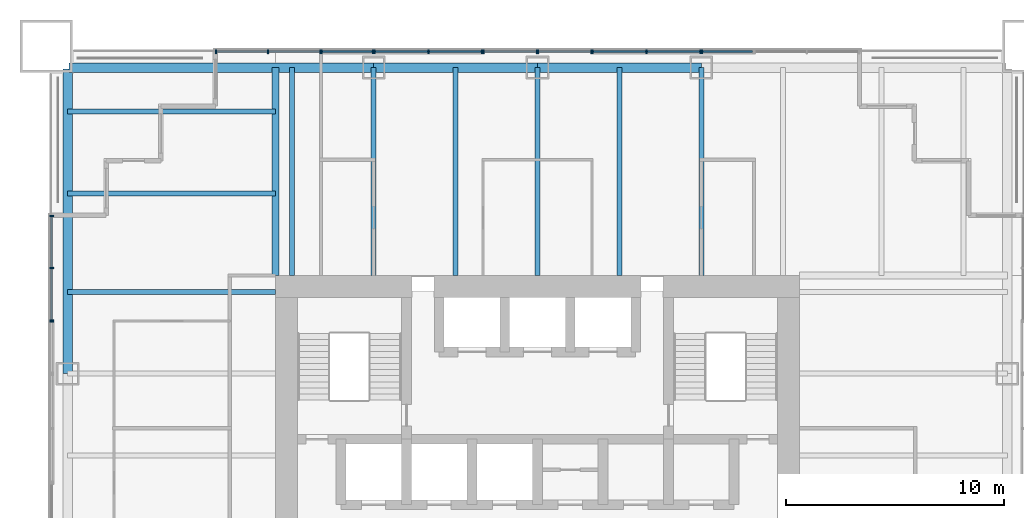
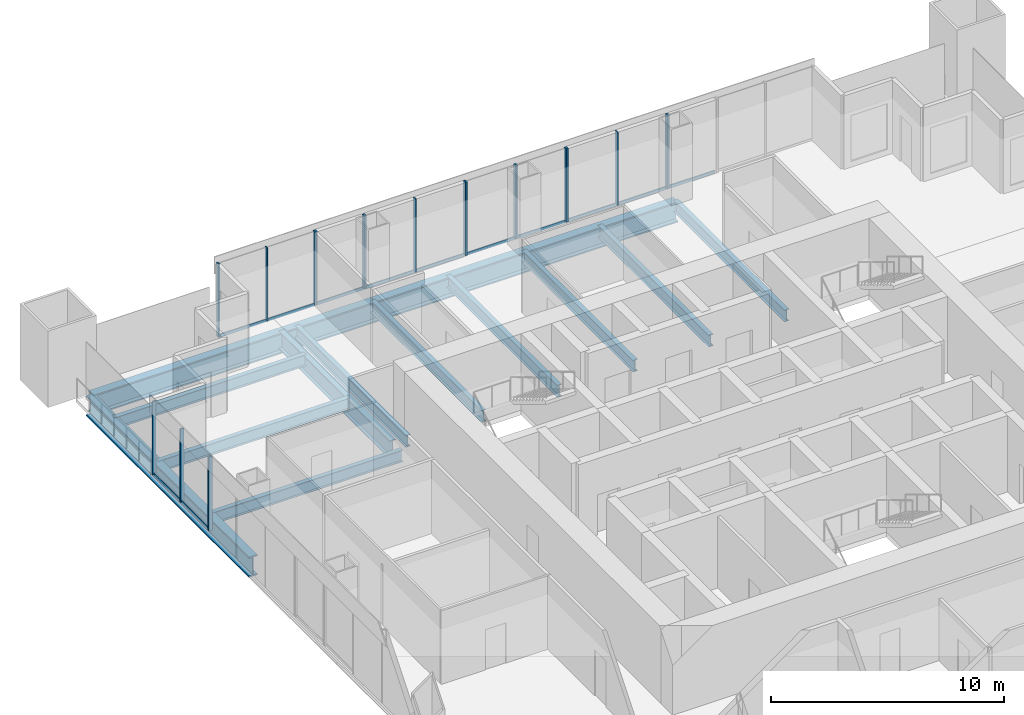
# One storey, part 5 of 13: 32 members, 14 beams, 9 elements without a shape of their own.
"""IFC4 building model written with IfcOpenShell, lengths in metres."""

from ifc_helpers import new_model, si_unit, direction, frame, origin, origin_2d, place, context, subcontext, project, spatial, rectangle, i_section, extrude, material, material_profile, profile_set, type_object, element, aggregate, save


model = new_model("IFC4")

# Units and contexts
model_context = context("Model", 3, precision=1e-05, world=origin(), true_north=direction((0.0, 1.0)))
body_context = subcontext(model_context, "Body", "Model", "MODEL_VIEW")
ifc_project = project(units=[si_unit("LENGTHUNIT", "METRE"), si_unit("AREAUNIT", "SQUARE_METRE"), si_unit("VOLUMEUNIT", "CUBIC_METRE"), si_unit("PLANEANGLEUNIT", "RADIAN"), si_unit("MASSUNIT", "GRAM", prefix="KILO")], contexts=[model_context])

# Site, building, storey
site_placement = place(None, origin())
site = spatial("IfcSite", under=ifc_project, at=site_placement, CompositionType="ELEMENT")
building_placement = place(site_placement, origin())
building = spatial("IfcBuilding", under=site, at=building_placement, Name="Tarangal Relay Tower", CompositionType="ELEMENT")
storey_placement = place(building_placement, frame((0.0, 0.0, 237.89990234375)))
storey = spatial("IfcBuildingStorey", under=building, at=storey_placement, Name="L51", CompositionType="ELEMENT", Elevation=237.89990234375)

# Beams
ifc_material_1 = material(Name="Steel ASTM A992", Category="steel")
ifc_material_profile_1 = material_profile(ifc_material_1, i_section(OverallWidth=0.227783203125, OverallDepth=0.60205078125, WebThickness=0.010498046875, FlangeThickness=0.014892578125, at=origin_2d()), Name="W24X68")
ifc_profile_set_1 = profile_set([ifc_material_profile_1], Name="Steel ASTM A992")
beam_type_1 = type_object("IfcBeamType", Name="Corner beam W24X68", PredefinedType="JOIST", material=ifc_profile_set_1)
for number, where, z_axis, x_axis, name in (
    (1, (-12.0, 15.75, -0.450927734375), (-1.0, 0.0, 0.0), (0.0, -1.0, 0.0), "Corner beam CB11 W L51"),
    (2, (-12.0, 19.5, -0.450927734375), (-1.0, 0.0, 0.0), (0.0, -1.0, 0.0), "Corner beam CB11 W L51"),
):
    element("IfcBeam", number, at=place(storey_placement, frame(where, z_axis=z_axis, x_axis=x_axis)), inside=storey, type_object=beam_type_1, Name=name, PredefinedType="JOIST", context=body_context, shape_type="SweptSolid", body=[
        extrude(i_section(OverallWidth=0.227783203125, OverallDepth=0.60205078125, WebThickness=0.010498046875, FlangeThickness=0.014892578125, at=origin_2d()), origin(), (0.0, 0.0, 1.0), 9.514892578125),
    ])
ifc_material_profile_2 = material_profile(ifc_material_1, i_section(OverallWidth=0.307373046875, OverallDepth=0.9423828125, WebThickness=0.022216796875, FlangeThickness=0.039794921875, at=origin_2d()), Name="W36X232")
ifc_profile_set_2 = profile_set([ifc_material_profile_2], Name="Steel ASTM A992")
beam_type_2 = type_object("IfcBeamType", Name="Corner girder W36X232", PredefinedType="BEAM", material=ifc_profile_set_2)
beam_1_placement = place(storey_placement, frame((-12.0, 12.0, -0.62109375), z_axis=(0.0, 1.0, 0.0), x_axis=(-1.0, 0.0, 0.0)))
element("IfcBeam", 3, at=beam_1_placement, inside=storey, type_object=beam_type_2, Name="Corner girder CG4 W L51", PredefinedType="BEAM", context=body_context, shape_type="SweptSolid", body=[
    extrude(i_section(OverallWidth=0.307373046875, OverallDepth=0.9423828125, WebThickness=0.022216796875, FlangeThickness=0.039794921875, at=origin_2d()), origin(), (0.0, 0.0, 1.0), 9.514892578125),
])
ifc_material_profile_3 = material_profile(ifc_material_1, i_section(OverallWidth=0.41650390625, OverallDepth=1.0693359375, WebThickness=0.0390625, FlangeThickness=0.070068359375, at=origin_2d()), Name="W40X503")
ifc_profile_set_3 = profile_set([ifc_material_profile_3], Name="Steel ASTM A992")
beam_type_3 = type_object("IfcBeamType", Name="Edge girder W40X503", PredefinedType="SPANDREL", material=ifc_profile_set_3)
beam_2_placement = place(storey_placement, frame((-21.449951171875, 21.514892578125, -0.6845703125), z_axis=(1.0, 0.0, 0.0), x_axis=(0.0, 1.0, 0.0)))
element("IfcBeam", 4, at=beam_2_placement, inside=storey, type_object=beam_type_3, Name="Edge girder EG8 N L51", PredefinedType="SPANDREL", context=body_context, shape_type="SweptSolid", body=[
    extrude(i_section(OverallWidth=0.41650390625, OverallDepth=1.0693359375, WebThickness=0.0390625, FlangeThickness=0.070068359375, at=origin_2d()), origin(), (0.0, 0.0, 1.0), 13.949951171875),
])
for number, where, z_axis, x_axis, name in (
    (5, (-7.5, 21.514892578125, -0.6845703125), (1.0, 0.0, 0.0), (0.0, 1.0, 0.0), "Edge girder EG8 N L51"),
    (6, (0.0, 21.514892578125, -0.6845703125), (1.0, 0.0, 0.0), (0.0, 1.0, 0.0), "Edge girder EG8 N L51"),
):
    element("IfcBeam", number, at=place(storey_placement, frame(where, z_axis=z_axis, x_axis=x_axis)), inside=storey, type_object=beam_type_3, Name=name, PredefinedType="SPANDREL", context=body_context, shape_type="SweptSolid", body=[
        extrude(i_section(OverallWidth=0.41650390625, OverallDepth=1.0693359375, WebThickness=0.0390625, FlangeThickness=0.070068359375, at=origin_2d()), origin(), (0.0, 0.0, 1.0), 7.5),
    ])
beam_3_placement = place(storey_placement, frame((-21.514892578125, 7.5, -0.6845703125), z_axis=(0.0, 1.0, 0.0), x_axis=(-1.0, 0.0, 0.0)))
element("IfcBeam", 7, at=beam_3_placement, inside=storey, type_object=beam_type_3, Name="Edge girder EG8 W L51", PredefinedType="SPANDREL", context=body_context, shape_type="SweptSolid", body=[
    extrude(i_section(OverallWidth=0.41650390625, OverallDepth=1.0693359375, WebThickness=0.0390625, FlangeThickness=0.070068359375, at=origin_2d()), origin(), (0.0, 0.0, 1.0), 13.949951171875),
])
ifc_material_profile_4 = material_profile(ifc_material_1, i_section(OverallWidth=0.22900390625, OverallDepth=0.612060546875, WebThickness=0.011962890625, FlangeThickness=0.01953125, at=origin_2d()), Name="W24X84")
ifc_profile_set_4 = profile_set([ifc_material_profile_4], Name="Steel ASTM A992")
beam_type_4 = type_object("IfcBeamType", Name="Floor beam W24X84", PredefinedType="BEAM", material=ifc_profile_set_4)
for number, where, z_axis, x_axis, name in (
    (8, (-11.25, 12.0, -0.455810546875), (0.0, 1.0, 0.0), (-1.0, 0.0, 0.0), "Floor beam RB12 N L51"),
    (9, (-7.5, 12.0, -0.455810546875), (0.0, 1.0, 0.0), (-1.0, 0.0, 0.0), "Floor beam RB12 N L51"),
    (10, (-3.75, 12.0, -0.455810546875), (0.0, 1.0, 0.0), (-1.0, 0.0, 0.0), "Floor beam RB12 N L51"),
    (11, (0.0, 12.0, -0.455810546875), (0.0, 1.0, 0.0), (-1.0, 0.0, 0.0), "Floor beam RB12 N L51"),
    (12, (3.75, 12.0, -0.455810546875), (0.0, 1.0, 0.0), (-1.0, 0.0, 0.0), "Floor beam RB12 N L51"),
    (13, (7.5, 12.0, -0.455810546875), (0.0, 1.0, 0.0), (-1.0, 0.0, 0.0), "Floor beam RB12 N L51"),
    (14, (-12.0, 11.25, -0.455810546875), (-1.0, 0.0, 0.0), (0.0, -1.0, 0.0), "Floor beam RB12 W L51"),
):
    element("IfcBeam", number, at=place(storey_placement, frame(where, z_axis=z_axis, x_axis=x_axis)), inside=storey, type_object=beam_type_4, Name=name, PredefinedType="BEAM", context=body_context, shape_type="SweptSolid", body=[
        extrude(i_section(OverallWidth=0.22900390625, OverallDepth=0.612060546875, WebThickness=0.011962890625, FlangeThickness=0.01953125, at=origin_2d()), origin(), (0.0, 0.0, 1.0), 9.514892578125),
    ])

# Curtain wall, members
ifc_material_2 = material(Name="Unitised curtain wall, dark glass and black aluminium", Category="aluminium")
curtain_wall_type_1 = type_object("IfcCurtainWallType", Name="Curtain wall CW-A", PredefinedType="USERDEFINED", material=ifc_material_2)
curtain_wall_1_placement = place(storey_placement, origin())
curtain_wall_1 = element("IfcCurtainWall", 15, at=curtain_wall_1_placement, inside=storey, type_object=curtain_wall_type_1, Name="Curtain wall CW-A N facade L51", ObjectType="UNITISED CURTAIN WALL", PredefinedType="USERDEFINED")
ifc_material_3 = material(Name="Black anodised aluminium mullion", Category="aluminium")
ifc_material_profile_5 = material_profile(ifc_material_3, rectangle(XDim=0.175048828125, YDim=0.06494140625, at=origin_2d()), Name="CW-AM 65X175")
ifc_profile_set_5 = profile_set([ifc_material_profile_5], Name="Black anodised aluminium mullion")
member_type_1 = type_object("IfcMemberType", Name="Mullion CW-A 65 x 175", PredefinedType="MULLION", material=ifc_profile_set_5)
member_1_placement = place(storey_placement, frame((-14.717529296875, 22.25, 0.0), z_axis=(0.0, 0.0, 1.0), x_axis=(0.0, 1.0, 0.0)))
member_1 = element("IfcMember", 16, at=member_1_placement, type_object=member_type_1, Name="CW-A mullion 1", PredefinedType="MULLION", context=body_context, shape_type="SweptSolid", body=[
    extrude(rectangle(XDim=0.175048828125, YDim=0.06494140625, at=origin_2d()), origin(), (0.0, 0.0, 1.0), 3.85009765625),
])
member_2_placement = place(storey_placement, frame((-12.333251953125, 22.25, 0.0), z_axis=(0.0, 0.0, 1.0), x_axis=(0.0, 1.0, 0.0)))
member_2 = element("IfcMember", 17, at=member_2_placement, type_object=member_type_1, Name="CW-A mullion 2", PredefinedType="MULLION", context=body_context, shape_type="SweptSolid", body=[
    extrude(rectangle(XDim=0.175048828125, YDim=0.06494140625, at=origin_2d()), origin(), (0.0, 0.0, 1.0), 3.85009765625),
])
member_3_placement = place(storey_placement, frame((-9.94921875, 22.25, 0.0), z_axis=(0.0, 0.0, 1.0), x_axis=(0.0, 1.0, 0.0)))
member_3 = element("IfcMember", 18, at=member_3_placement, type_object=member_type_1, Name="CW-A mullion 3", PredefinedType="MULLION", context=body_context, shape_type="SweptSolid", body=[
    extrude(rectangle(XDim=0.175048828125, YDim=0.06494140625, at=origin_2d()), origin(), (0.0, 0.0, 1.0), 3.85009765625),
])

curtain_wall_2_placement = place(storey_placement, origin())
curtain_wall_2 = element("IfcCurtainWall", 19, at=curtain_wall_2_placement, inside=storey, type_object=curtain_wall_type_1, Name="Curtain wall CW-A N facade L51", ObjectType="UNITISED CURTAIN WALL", PredefinedType="USERDEFINED")
member_4_placement = place(storey_placement, frame((-2.467529296875, 22.25, 0.0), z_axis=(0.0, 0.0, 1.0), x_axis=(0.0, 1.0, 0.0)))
member_4 = element("IfcMember", 20, at=member_4_placement, type_object=member_type_1, Name="CW-A mullion 1", PredefinedType="MULLION", context=body_context, shape_type="SweptSolid", body=[
    extrude(rectangle(XDim=0.175048828125, YDim=0.06494140625, at=origin_2d()), origin(), (0.0, 0.0, 1.0), 3.85009765625),
])
member_5_placement = place(storey_placement, frame((-0.032470703125, 22.25, 0.0), z_axis=(0.0, 0.0, 1.0), x_axis=(0.0, 1.0, 0.0)))
member_5 = element("IfcMember", 21, at=member_5_placement, type_object=member_type_1, Name="CW-A mullion 2", PredefinedType="MULLION", context=body_context, shape_type="SweptSolid", body=[
    extrude(rectangle(XDim=0.175048828125, YDim=0.06494140625, at=origin_2d()), origin(), (0.0, 0.0, 1.0), 3.85009765625),
])

curtain_wall_3_placement = place(storey_placement, origin())
curtain_wall_3 = element("IfcCurtainWall", 22, at=curtain_wall_3_placement, inside=storey, type_object=curtain_wall_type_1, Name="Curtain wall CW-A N facade L51", ObjectType="UNITISED CURTAIN WALL", PredefinedType="USERDEFINED")
member_6_placement = place(storey_placement, frame((0.032470703125, 22.25, 0.0), z_axis=(0.0, 0.0, 1.0), x_axis=(0.0, 1.0, 0.0)))
member_6 = element("IfcMember", 23, at=member_6_placement, type_object=member_type_1, Name="CW-A mullion 1", PredefinedType="MULLION", context=body_context, shape_type="SweptSolid", body=[
    extrude(rectangle(XDim=0.175048828125, YDim=0.06494140625, at=origin_2d()), origin(), (0.0, 0.0, 1.0), 3.85009765625),
])
member_7_placement = place(storey_placement, frame((2.467529296875, 22.25, 0.0), z_axis=(0.0, 0.0, 1.0), x_axis=(0.0, 1.0, 0.0)))
member_7 = element("IfcMember", 24, at=member_7_placement, type_object=member_type_1, Name="CW-A mullion 2", PredefinedType="MULLION", context=body_context, shape_type="SweptSolid", body=[
    extrude(rectangle(XDim=0.175048828125, YDim=0.06494140625, at=origin_2d()), origin(), (0.0, 0.0, 1.0), 3.85009765625),
])

curtain_wall_4_placement = place(storey_placement, origin())
curtain_wall_4 = element("IfcCurtainWall", 25, at=curtain_wall_4_placement, inside=storey, type_object=curtain_wall_type_1, Name="Curtain wall CW-A W facade L51", ObjectType="UNITISED CURTAIN WALL", PredefinedType="USERDEFINED")
member_8_placement = place(storey_placement, frame((-22.25, 9.94921875, 0.0), z_axis=(0.0, 0.0, 1.0), x_axis=(-1.0, 0.0, 0.0)))
member_8 = element("IfcMember", 26, at=member_8_placement, type_object=member_type_1, Name="CW-A mullion 1", PredefinedType="MULLION", context=body_context, shape_type="SweptSolid", body=[
    extrude(rectangle(XDim=0.175048828125, YDim=0.06494140625, at=origin_2d()), origin(), (0.0, 0.0, 1.0), 3.85009765625),
])
member_9_placement = place(storey_placement, frame((-22.25, 12.333251953125, 0.0), z_axis=(0.0, 0.0, 1.0), x_axis=(-1.0, 0.0, 0.0)))
member_9 = element("IfcMember", 27, at=member_9_placement, type_object=member_type_1, Name="CW-A mullion 2", PredefinedType="MULLION", context=body_context, shape_type="SweptSolid", body=[
    extrude(rectangle(XDim=0.175048828125, YDim=0.06494140625, at=origin_2d()), origin(), (0.0, 0.0, 1.0), 3.85009765625),
])
member_10_placement = place(storey_placement, frame((-22.25, 14.717529296875, 0.0), z_axis=(0.0, 0.0, 1.0), x_axis=(-1.0, 0.0, 0.0)))
member_10 = element("IfcMember", 28, at=member_10_placement, type_object=member_type_1, Name="CW-A mullion 3", PredefinedType="MULLION", context=body_context, shape_type="SweptSolid", body=[
    extrude(rectangle(XDim=0.175048828125, YDim=0.06494140625, at=origin_2d()), origin(), (0.0, 0.0, 1.0), 3.85009765625),
])

ifc_material_4 = material(Name="Unitised curtain wall frame, black aluminium, with metal clad infill walls", Category="aluminium")
curtain_wall_type_2 = type_object("IfcCurtainWallType", Name="Curtain wall CW-AO", PredefinedType="USERDEFINED", material=ifc_material_4)
curtain_wall_5_placement = place(storey_placement, origin())
curtain_wall_5 = element("IfcCurtainWall", 29, at=curtain_wall_5_placement, inside=storey, type_object=curtain_wall_type_2, Name="Curtain wall CW-AO N facade L51", ObjectType="UNITISED CURTAIN WALL", PredefinedType="USERDEFINED")
ifc_material_profile_6 = material_profile(ifc_material_3, rectangle(XDim=0.175048828125, YDim=0.06494140625, at=origin_2d()), Name="CW-AOM 65X175")
ifc_profile_set_6 = profile_set([ifc_material_profile_6], Name="Black anodised aluminium mullion")
member_type_2 = type_object("IfcMemberType", Name="Mullion CW-AO 65 x 175", PredefinedType="MULLION", material=ifc_profile_set_6)
member_11_placement = place(storey_placement, frame((-9.88427734375, 22.25, 0.0), z_axis=(0.0, 0.0, 1.0), x_axis=(0.0, 1.0, 0.0)))
member_11 = element("IfcMember", 30, at=member_11_placement, type_object=member_type_2, Name="CW-AO mullion 1", PredefinedType="MULLION", context=body_context, shape_type="SweptSolid", body=[
    extrude(rectangle(XDim=0.175048828125, YDim=0.06494140625, at=origin_2d()), origin(), (0.0, 0.0, 1.0), 3.85009765625),
])
member_12_placement = place(storey_placement, frame((-7.532470703125, 22.25, 0.0), z_axis=(0.0, 0.0, 1.0), x_axis=(0.0, 1.0, 0.0)))
member_12 = element("IfcMember", 31, at=member_12_placement, type_object=member_type_2, Name="CW-AO mullion 2", PredefinedType="MULLION", context=body_context, shape_type="SweptSolid", body=[
    extrude(rectangle(XDim=0.175048828125, YDim=0.06494140625, at=origin_2d()), origin(), (0.0, 0.0, 1.0), 3.85009765625),
])

curtain_wall_6_placement = place(storey_placement, origin())
curtain_wall_6 = element("IfcCurtainWall", 32, at=curtain_wall_6_placement, inside=storey, type_object=curtain_wall_type_2, Name="Curtain wall CW-AO N facade L51", ObjectType="UNITISED CURTAIN WALL", PredefinedType="USERDEFINED")
member_13_placement = place(storey_placement, frame((-7.467529296875, 22.25, 0.0), z_axis=(0.0, 0.0, 1.0), x_axis=(0.0, 1.0, 0.0)))
member_13 = element("IfcMember", 33, at=member_13_placement, type_object=member_type_2, Name="CW-AO mullion 1", PredefinedType="MULLION", context=body_context, shape_type="SweptSolid", body=[
    extrude(rectangle(XDim=0.175048828125, YDim=0.06494140625, at=origin_2d()), origin(), (0.0, 0.0, 1.0), 3.85009765625),
])
member_14_placement = place(storey_placement, frame((-5.0, 22.25, 0.0), z_axis=(0.0, 0.0, 1.0), x_axis=(0.0, 1.0, 0.0)))
member_14 = element("IfcMember", 34, at=member_14_placement, type_object=member_type_2, Name="CW-AO mullion 2", PredefinedType="MULLION", context=body_context, shape_type="SweptSolid", body=[
    extrude(rectangle(XDim=0.175048828125, YDim=0.06494140625, at=origin_2d()), origin(), (0.0, 0.0, 1.0), 3.85009765625),
])
member_15_placement = place(storey_placement, frame((-2.532470703125, 22.25, 0.0), z_axis=(0.0, 0.0, 1.0), x_axis=(0.0, 1.0, 0.0)))
member_15 = element("IfcMember", 35, at=member_15_placement, type_object=member_type_2, Name="CW-AO mullion 3", PredefinedType="MULLION", context=body_context, shape_type="SweptSolid", body=[
    extrude(rectangle(XDim=0.175048828125, YDim=0.06494140625, at=origin_2d()), origin(), (0.0, 0.0, 1.0), 3.85009765625),
])

curtain_wall_7_placement = place(storey_placement, origin())
curtain_wall_7 = element("IfcCurtainWall", 36, at=curtain_wall_7_placement, inside=storey, type_object=curtain_wall_type_2, Name="Curtain wall CW-AO N facade L51", ObjectType="UNITISED CURTAIN WALL", PredefinedType="USERDEFINED")
member_16_placement = place(storey_placement, frame((2.532470703125, 22.25, 0.0), z_axis=(0.0, 0.0, 1.0), x_axis=(0.0, 1.0, 0.0)))
member_16 = element("IfcMember", 37, at=member_16_placement, type_object=member_type_2, Name="CW-AO mullion 1", PredefinedType="MULLION", context=body_context, shape_type="SweptSolid", body=[
    extrude(rectangle(XDim=0.175048828125, YDim=0.06494140625, at=origin_2d()), origin(), (0.0, 0.0, 1.0), 3.85009765625),
])
member_17_placement = place(storey_placement, frame((5.0, 22.25, 0.0), z_axis=(0.0, 0.0, 1.0), x_axis=(0.0, 1.0, 0.0)))
member_17 = element("IfcMember", 38, at=member_17_placement, type_object=member_type_2, Name="CW-AO mullion 2", PredefinedType="MULLION", context=body_context, shape_type="SweptSolid", body=[
    extrude(rectangle(XDim=0.175048828125, YDim=0.06494140625, at=origin_2d()), origin(), (0.0, 0.0, 1.0), 3.85009765625),
])
member_18_placement = place(storey_placement, frame((7.467529296875, 22.25, 0.0), z_axis=(0.0, 0.0, 1.0), x_axis=(0.0, 1.0, 0.0)))
member_18 = element("IfcMember", 39, at=member_18_placement, type_object=member_type_2, Name="CW-AO mullion 3", PredefinedType="MULLION", context=body_context, shape_type="SweptSolid", body=[
    extrude(rectangle(XDim=0.175048828125, YDim=0.06494140625, at=origin_2d()), origin(), (0.0, 0.0, 1.0), 3.85009765625),
])

# Curtain wall, member
curtain_wall_8_placement = place(storey_placement, origin())
curtain_wall_8 = element("IfcCurtainWall", 40, at=curtain_wall_8_placement, inside=storey, type_object=curtain_wall_type_2, Name="Curtain wall CW-AO N facade L51", ObjectType="UNITISED CURTAIN WALL", PredefinedType="USERDEFINED")
member_19_placement = place(storey_placement, frame((7.532470703125, 22.25, 0.0), z_axis=(0.0, 0.0, 1.0), x_axis=(0.0, 1.0, 0.0)))
member_19 = element("IfcMember", 41, at=member_19_placement, type_object=member_type_2, Name="CW-AO mullion 1", PredefinedType="MULLION", context=body_context, shape_type="SweptSolid", body=[
    extrude(rectangle(XDim=0.175048828125, YDim=0.06494140625, at=origin_2d()), origin(), (0.0, 0.0, 1.0), 3.85009765625),
])

curtain_wall_9_placement = place(storey_placement, origin())
curtain_wall_9 = element("IfcCurtainWall", 42, at=curtain_wall_9_placement, inside=storey, type_object=curtain_wall_type_2, Name="Curtain wall CW-AO W facade L51", ObjectType="UNITISED CURTAIN WALL", PredefinedType="USERDEFINED")
member_20_placement = place(storey_placement, frame((-22.25, 9.88427734375, 0.0), z_axis=(0.0, 0.0, 1.0), x_axis=(-1.0, 0.0, 0.0)))
member_20 = element("IfcMember", 43, at=member_20_placement, type_object=member_type_2, Name="CW-AO mullion 2", PredefinedType="MULLION", context=body_context, shape_type="SweptSolid", body=[
    extrude(rectangle(XDim=0.175048828125, YDim=0.06494140625, at=origin_2d()), origin(), (0.0, 0.0, 1.0), 3.85009765625),
])
aggregate(curtain_wall_9, [member_20])

# Member
ifc_material_5 = material(Name="Black anodised aluminium transom", Category="aluminium")
ifc_material_profile_7 = material_profile(ifc_material_5, rectangle(XDim=0.06494140625, YDim=0.14990234375, at=origin_2d()), Name="CW-AT 65X150")
ifc_profile_set_7 = profile_set([ifc_material_profile_7], Name="Black anodised aluminium transom")
member_type_3 = type_object("IfcMemberType", Name="Transom CW-A 65 x 150", PredefinedType="USERDEFINED", material=ifc_profile_set_7)
member_21_placement = place(storey_placement, frame((-14.68505859375, 22.25, 0.03271484375), z_axis=(1.0, 0.0, 0.0), x_axis=(0.0, 1.0, 0.0)))
member_21 = element("IfcMember", 44, at=member_21_placement, type_object=member_type_3, Name="CW-A transom 1.1", ObjectType="TRANSOM", PredefinedType="USERDEFINED", context=body_context, shape_type="SweptSolid", body=[
    extrude(rectangle(XDim=0.06494140625, YDim=0.14990234375, at=origin_2d()), origin(), (0.0, 0.0, 1.0), 2.319091796875),
])

member_22_placement = place(storey_placement, frame((-12.30078125, 22.25, 0.03271484375), z_axis=(1.0, 0.0, 0.0), x_axis=(0.0, 1.0, 0.0)))
member_22 = element("IfcMember", 45, at=member_22_placement, type_object=member_type_3, Name="CW-A transom 2.1", ObjectType="TRANSOM", PredefinedType="USERDEFINED", context=body_context, shape_type="SweptSolid", body=[
    extrude(rectangle(XDim=0.06494140625, YDim=0.14990234375, at=origin_2d()), origin(), (0.0, 0.0, 1.0), 2.319091796875),
])

aggregate(curtain_wall_1, [member_1, member_2, member_3, member_21, member_22])

member_23_placement = place(storey_placement, frame((-2.43505859375, 22.25, 0.03271484375), z_axis=(1.0, 0.0, 0.0), x_axis=(0.0, 1.0, 0.0)))
member_23 = element("IfcMember", 46, at=member_23_placement, type_object=member_type_3, Name="CW-A transom 1.1", ObjectType="TRANSOM", PredefinedType="USERDEFINED", context=body_context, shape_type="SweptSolid", body=[
    extrude(rectangle(XDim=0.06494140625, YDim=0.14990234375, at=origin_2d()), origin(), (0.0, 0.0, 1.0), 2.3701171875),
])

aggregate(curtain_wall_2, [member_4, member_5, member_23])

member_24_placement = place(storey_placement, frame((0.06494140625, 22.25, 0.03271484375), z_axis=(1.0, 0.0, 0.0), x_axis=(0.0, 1.0, 0.0)))
member_24 = element("IfcMember", 47, at=member_24_placement, type_object=member_type_3, Name="CW-A transom 1.1", ObjectType="TRANSOM", PredefinedType="USERDEFINED", context=body_context, shape_type="SweptSolid", body=[
    extrude(rectangle(XDim=0.06494140625, YDim=0.14990234375, at=origin_2d()), origin(), (0.0, 0.0, 1.0), 2.3701171875),
])

aggregate(curtain_wall_3, [member_6, member_7, member_24])

member_25_placement = place(storey_placement, frame((-22.25, 9.981689453125, 0.03271484375), z_axis=(0.0, 1.0, 0.0), x_axis=(-1.0, 0.0, 0.0)))
member_25 = element("IfcMember", 48, at=member_25_placement, type_object=member_type_3, Name="CW-A transom 1.1", ObjectType="TRANSOM", PredefinedType="USERDEFINED", context=body_context, shape_type="SweptSolid", body=[
    extrude(rectangle(XDim=0.06494140625, YDim=0.14990234375, at=origin_2d()), origin(), (0.0, 0.0, 1.0), 2.319091796875),
])

member_26_placement = place(storey_placement, frame((-22.25, 12.365966796875, 0.03271484375), z_axis=(0.0, 1.0, 0.0), x_axis=(-1.0, 0.0, 0.0)))
member_26 = element("IfcMember", 49, at=member_26_placement, type_object=member_type_3, Name="CW-A transom 2.1", ObjectType="TRANSOM", PredefinedType="USERDEFINED", context=body_context, shape_type="SweptSolid", body=[
    extrude(rectangle(XDim=0.06494140625, YDim=0.14990234375, at=origin_2d()), origin(), (0.0, 0.0, 1.0), 2.319091796875),
])

aggregate(curtain_wall_4, [member_8, member_9, member_10, member_25, member_26])

ifc_material_profile_8 = material_profile(ifc_material_5, rectangle(XDim=0.06494140625, YDim=0.14990234375, at=origin_2d()), Name="CW-AOT 65X150")
ifc_profile_set_8 = profile_set([ifc_material_profile_8], Name="Black anodised aluminium transom")
member_type_4 = type_object("IfcMemberType", Name="Transom CW-AO 65 x 150", PredefinedType="USERDEFINED", material=ifc_profile_set_8)
member_27_placement = place(storey_placement, frame((-9.851806640625, 22.25, 0.03271484375), z_axis=(1.0, 0.0, 0.0), x_axis=(0.0, 1.0, 0.0)))
member_27 = element("IfcMember", 50, at=member_27_placement, type_object=member_type_4, Name="CW-AO transom 1.1", ObjectType="TRANSOM", PredefinedType="USERDEFINED", context=body_context, shape_type="SweptSolid", body=[
    extrude(rectangle(XDim=0.06494140625, YDim=0.14990234375, at=origin_2d()), origin(), (0.0, 0.0, 1.0), 2.286865234375),
])

aggregate(curtain_wall_5, [member_11, member_12, member_27])

member_28_placement = place(storey_placement, frame((-7.43505859375, 22.25, 0.03271484375), z_axis=(1.0, 0.0, 0.0), x_axis=(0.0, 1.0, 0.0)))
member_28 = element("IfcMember", 51, at=member_28_placement, type_object=member_type_4, Name="CW-AO transom 1.1", ObjectType="TRANSOM", PredefinedType="USERDEFINED", context=body_context, shape_type="SweptSolid", body=[
    extrude(rectangle(XDim=0.06494140625, YDim=0.14990234375, at=origin_2d()), origin(), (0.0, 0.0, 1.0), 2.402587890625),
])

member_29_placement = place(storey_placement, frame((-4.967529296875, 22.25, 0.03271484375), z_axis=(1.0, 0.0, 0.0), x_axis=(0.0, 1.0, 0.0)))
member_29 = element("IfcMember", 52, at=member_29_placement, type_object=member_type_4, Name="CW-AO transom 2.1", ObjectType="TRANSOM", PredefinedType="USERDEFINED", context=body_context, shape_type="SweptSolid", body=[
    extrude(rectangle(XDim=0.06494140625, YDim=0.14990234375, at=origin_2d()), origin(), (0.0, 0.0, 1.0), 2.402587890625),
])

aggregate(curtain_wall_6, [member_13, member_14, member_15, member_28, member_29])

member_30_placement = place(storey_placement, frame((2.56494140625, 22.25, 0.03271484375), z_axis=(1.0, 0.0, 0.0), x_axis=(0.0, 1.0, 0.0)))
member_30 = element("IfcMember", 53, at=member_30_placement, type_object=member_type_4, Name="CW-AO transom 1.1", ObjectType="TRANSOM", PredefinedType="USERDEFINED", context=body_context, shape_type="SweptSolid", body=[
    extrude(rectangle(XDim=0.06494140625, YDim=0.14990234375, at=origin_2d()), origin(), (0.0, 0.0, 1.0), 2.402587890625),
])

member_31_placement = place(storey_placement, frame((5.032470703125, 22.25, 0.03271484375), z_axis=(1.0, 0.0, 0.0), x_axis=(0.0, 1.0, 0.0)))
member_31 = element("IfcMember", 54, at=member_31_placement, type_object=member_type_4, Name="CW-AO transom 2.1", ObjectType="TRANSOM", PredefinedType="USERDEFINED", context=body_context, shape_type="SweptSolid", body=[
    extrude(rectangle(XDim=0.06494140625, YDim=0.14990234375, at=origin_2d()), origin(), (0.0, 0.0, 1.0), 2.402587890625),
])

aggregate(curtain_wall_7, [member_16, member_17, member_18, member_30, member_31])

member_32_placement = place(storey_placement, frame((7.56494140625, 22.25, 0.03271484375), z_axis=(1.0, 0.0, 0.0), x_axis=(0.0, 1.0, 0.0)))
member_32 = element("IfcMember", 55, at=member_32_placement, type_object=member_type_4, Name="CW-AO transom 1.1", ObjectType="TRANSOM", PredefinedType="USERDEFINED", context=body_context, shape_type="SweptSolid", body=[
    extrude(rectangle(XDim=0.06494140625, YDim=0.14990234375, at=origin_2d()), origin(), (0.0, 0.0, 1.0), 2.286865234375),
])

aggregate(curtain_wall_8, [member_19, member_32])

save(model, "model.ifc")
